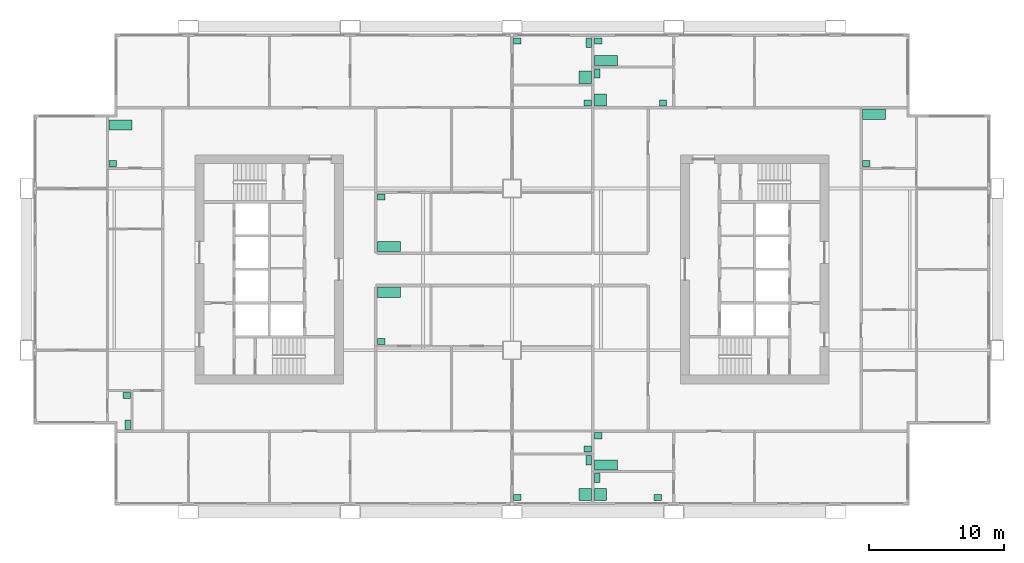
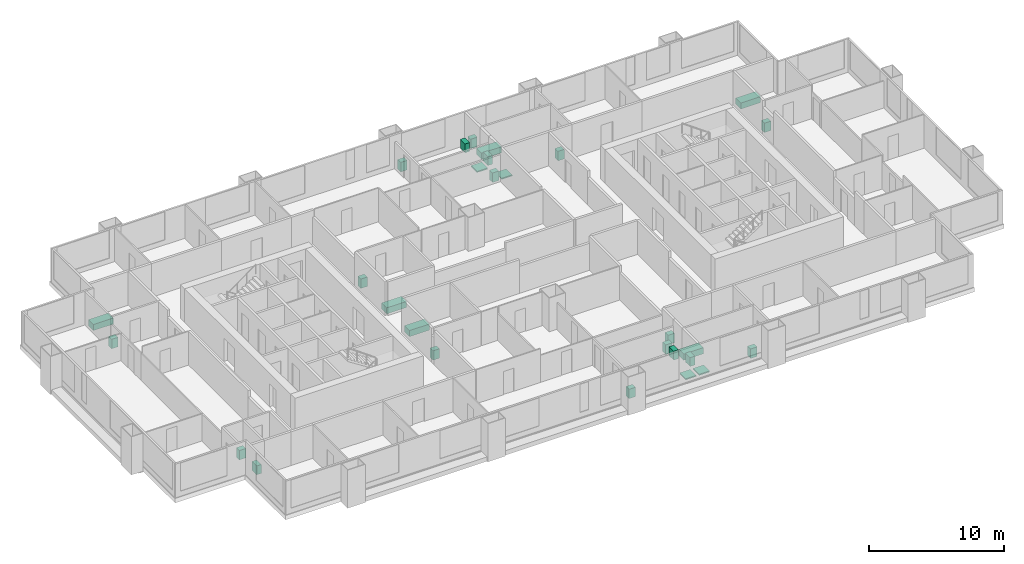
# One storey, part 11 of 11: 28 sanitary terminals.
"""IFC4 building model written with IfcOpenShell, lengths in metres."""

from ifc_helpers import new_model, si_unit, direction, frame, origin, origin_2d, place, context, subcontext, project, spatial, rectangle, extrude, material, type_object, element, save


model = new_model("IFC4")

# Units and contexts
model_context = context("Model", 3, precision=1e-05, world=origin(), true_north=direction((0.0, 1.0)))
body_context = subcontext(model_context, "Body", "Model", "MODEL_VIEW")
ifc_project = project(units=[si_unit("LENGTHUNIT", "METRE"), si_unit("AREAUNIT", "SQUARE_METRE"), si_unit("VOLUMEUNIT", "CUBIC_METRE"), si_unit("PLANEANGLEUNIT", "RADIAN"), si_unit("MASSUNIT", "GRAM", prefix="KILO")], contexts=[model_context])

# Site, building, storey
site_placement = place(None, origin())
site = spatial("IfcSite", under=ifc_project, at=site_placement, CompositionType="ELEMENT")
building_placement = place(site_placement, origin())
building = spatial("IfcBuilding", under=site, at=building_placement, Name="Kitamizu Gate Tower and Museum", CompositionType="ELEMENT")
storey_placement = place(building_placement, frame((0.0, 0.0, 120.75)))
storey = spatial("IfcBuildingStorey", under=building, at=storey_placement, Name="L31", CompositionType="ELEMENT", Elevation=120.75)

# Sanitary terminals
ifc_material_1 = material(Name="Acrylic")
sanitary_terminal_type_1 = type_object("IfcSanitaryTerminalType", Name="Bath", PredefinedType="BATH", material=ifc_material_1)
for number, where, z_axis, x_axis, name in (
    (1, (26.8701171875, 28.304931640625, 0.0009765625), (0.0, 0.0, 1.0), (1.0, 0.0, 0.0), "Bath Bathroom 31A"),
    (2, (6.969970703125, 40.705078125, 0.0009765625), (0.0, 0.0, 1.0), (1.0, 0.0, 0.0), "Bath Bathroom 31B"),
    (3, (26.8701171875, 31.695068359375, 0.0009765625), (0.0, 0.0, 1.0), (1.0, 0.0, 0.0), "Bath Bathroom 31C"),
    (4, (42.969970703125, 15.4951171875, 0.0009765625), (0.0, 0.0, 1.0), (1.0, 0.0, 0.0), "Bath Bathroom 31D"),
    (5, (62.8701171875, 41.5048828125, 0.0009765625), (0.0, 0.0, 1.0), (1.0, 0.0, 0.0), "Bath Bathroom and WC 31F"),
    (6, (42.969970703125, 45.4951171875, 0.0009765625), (0.0, 0.0, 1.0), (1.0, 0.0, 0.0), "Bath Bathroom 31G"),
):
    element("IfcSanitaryTerminal", number, at=place(storey_placement, frame(where, z_axis=z_axis, x_axis=x_axis)), inside=storey, type_object=sanitary_terminal_type_1, Name=name, PredefinedType="BATH", context=body_context, shape_type="SweptSolid", body=[
        extrude(rectangle(XDim=1.699951171875, YDim=0.75, at=origin_2d()), origin(), (0.0, 0.0, 1.0), 0.550048828125),
    ])
ifc_material_2 = material(Name="Acrylic")
sanitary_terminal_type_2 = type_object("IfcSanitaryTerminalType", Name="Shower tray", PredefinedType="SHOWER", material=ifc_material_2)
for number, where, z_axis, x_axis, name in (
    (7, (41.429931640625, 13.2900390625, 0.0009765625), (0.0, 0.0, 1.0), (1.0, 0.0, 0.0), "Shower tray En-suite bathroom and WC 31A"),
    (8, (41.429931640625, 44.25, 0.0009765625), (0.0, 0.0, 1.0), (1.0, 0.0, 0.0), "Shower tray En-suite bathroom and WC 31C"),
    (9, (42.570068359375, 13.2900390625, 0.0009765625), (0.0, 0.0, 1.0), (1.0, 0.0, 0.0), "Shower tray En-suite bathroom and WC 31D"),
    (10, (42.570068359375, 42.570068359375, 0.0009765625), (0.0, 0.0, 1.0), (1.0, 0.0, 0.0), "Shower tray En-suite bathroom and WC 31G"),
):
    element("IfcSanitaryTerminal", number, at=place(storey_placement, frame(where, z_axis=z_axis, x_axis=x_axis)), inside=storey, type_object=sanitary_terminal_type_2, Name=name, PredefinedType="SHOWER", context=body_context, shape_type="SweptSolid", body=[
        extrude(rectangle(XDim=0.89990234375, YDim=0.89990234375, at=origin_2d()), origin(), (0.0, 0.0, 1.0), 0.10009765625),
    ])
ifc_material_3 = material(Name="Vitreous china")
sanitary_terminal_type_3 = type_object("IfcSanitaryTerminalType", Name="Wash hand basin", PredefinedType="WASHHANDBASIN", material=ifc_material_3)
for number, where, z_axis, x_axis, name in (
    (11, (36.39501953125, 13.06494140625, 0.0009765625), (0.0, 0.0, 1.0), (1.0, 0.0, 0.0), "Wash hand basin En-suite bathroom and WC 31A"),
    (12, (41.60498046875, 16.6650390625, 0.0009765625), (0.0, 0.0, 1.0), (1.0, 0.0, 0.0), "Wash hand basin Wash room 31A"),
    (13, (26.294921875, 24.64501953125, 0.0009765625), (0.0, 0.0, 1.0), (1.0, 0.0, 0.0), "Wash hand basin Bathroom 31A"),
    (14, (7.405029296875, 20.655029296875, 0.0009765625), (0.0, 0.0, 1.0), (1.0, 0.0, 0.0), "Wash hand basin WC 31B"),
    (15, (6.39501953125, 37.844970703125, 0.0009765625), (0.0, 0.0, 1.0), (1.0, 0.0, 0.0), "Wash hand basin Bathroom 31B"),
    (16, (36.39501953125, 46.93505859375, 0.0009765625), (0.0, 0.0, 1.0), (1.0, 0.0, 0.0), "Wash hand basin En-suite bathroom and WC 31C"),
    (17, (41.60498046875, 42.344970703125, 0.0009765625), (0.0, 0.0, 1.0), (1.0, 0.0, 0.0), "Wash hand basin Wash room 31C"),
    (18, (26.294921875, 35.35498046875, 0.0009765625), (0.0, 0.0, 1.0), (1.0, 0.0, 0.0), "Wash hand basin Bathroom 31C"),
    (19, (46.804931640625, 13.06494140625, 0.0009765625), (0.0, 0.0, 1.0), (1.0, 0.0, 0.0), "Wash hand basin En-suite bathroom and WC 31D"),
    (20, (42.39501953125, 17.655029296875, 0.0009765625), (0.0, 0.0, 1.0), (1.0, 0.0, 0.0), "Wash hand basin Bathroom 31D"),
    (21, (62.294921875, 37.844970703125, 0.0009765625), (0.0, 0.0, 1.0), (1.0, 0.0, 0.0), "Wash hand basin Bathroom and WC 31F"),
    (22, (47.205078125, 42.344970703125, 0.0009765625), (0.0, 0.0, 1.0), (1.0, 0.0, 0.0), "Wash hand basin En-suite bathroom and WC 31G"),
    (23, (42.39501953125, 46.93505859375, 0.0009765625), (0.0, 0.0, 1.0), (1.0, 0.0, 0.0), "Wash hand basin Bathroom 31G"),
):
    element("IfcSanitaryTerminal", number, at=place(storey_placement, frame(where, z_axis=z_axis, x_axis=x_axis)), inside=storey, type_object=sanitary_terminal_type_3, Name=name, PredefinedType="WASHHANDBASIN", context=body_context, shape_type="SweptSolid", body=[
        extrude(rectangle(XDim=0.550048828125, YDim=0.449951171875, at=origin_2d()), origin(), (0.0, 0.0, 1.0), 0.85009765625),
    ])
ifc_material_4 = material(Name="Vitreous china")
sanitary_terminal_type_4 = type_object("IfcSanitaryTerminalType", Name="Water closet", PredefinedType="TOILETPAN", material=ifc_material_4)
for number, where, z_axis, x_axis, name in (
    (24, (41.679931640625, 15.85009765625, 0.0009765625), (0.0, 0.0, 1.0), (1.0, 0.0, 0.0), "Water closet En-suite bathroom and WC 31A"),
    (25, (7.47998046875, 18.469970703125, 0.0009765625), (0.0, 0.0, 1.0), (1.0, 0.0, 0.0), "Water closet WC 31B"),
    (26, (41.679931640625, 46.81005859375, 0.0009765625), (0.0, 0.0, 1.0), (1.0, 0.0, 0.0), "Water closet En-suite bathroom and WC 31C"),
    (27, (42.320068359375, 14.530029296875, 0.0009765625), (0.0, 0.0, 1.0), (1.0, 0.0, 0.0), "Water closet En-suite bathroom and WC 31D"),
    (28, (42.320068359375, 44.530029296875, 0.0009765625), (0.0, 0.0, 1.0), (1.0, 0.0, 0.0), "Water closet En-suite bathroom and WC 31G"),
):
    element("IfcSanitaryTerminal", number, at=place(storey_placement, frame(where, z_axis=z_axis, x_axis=x_axis)), inside=storey, type_object=sanitary_terminal_type_4, Name=name, PredefinedType="TOILETPAN", context=body_context, shape_type="SweptSolid", body=[
        extrude(rectangle(XDim=0.39990234375, YDim=0.699951171875, at=origin_2d()), origin(), (0.0, 0.0, 1.0), 0.800048828125),
    ])

save(model, "model.ifc")
